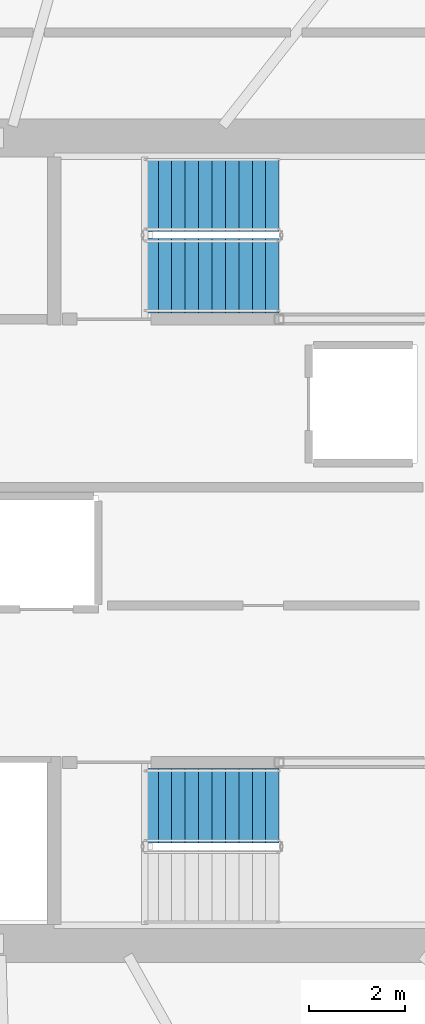
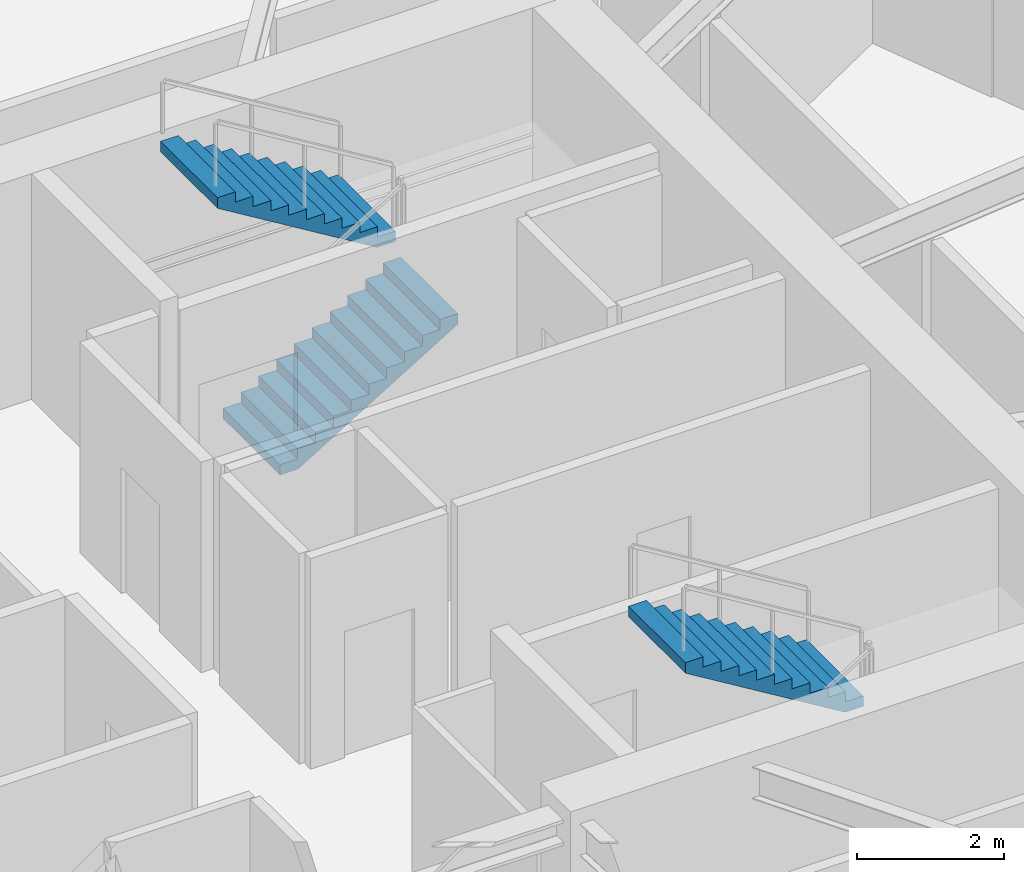
# One storey, part 16 of 17: 3 stair flights, 2 elements without a shape of their own.
"""IFC4 building model written with IfcOpenShell, lengths in metres."""

from ifc_helpers import new_model, si_unit, direction, frame, origin, place, context, subcontext, project, spatial, polyline, outline, extrude, material, type_object, element, aggregate, save


model = new_model("IFC4")

# Units and contexts
model_context = context("Model", 3, precision=1e-05, world=origin(), true_north=direction((0.0, 1.0)))
body_context = subcontext(model_context, "Body", "Model", "MODEL_VIEW")
ifc_project = project(units=[si_unit("LENGTHUNIT", "METRE"), si_unit("AREAUNIT", "SQUARE_METRE"), si_unit("VOLUMEUNIT", "CUBIC_METRE"), si_unit("PLANEANGLEUNIT", "RADIAN"), si_unit("MASSUNIT", "GRAM", prefix="KILO")], contexts=[model_context])

# Site, building, storey
site_placement = place(None, origin())
site = spatial("IfcSite", under=ifc_project, at=site_placement, CompositionType="ELEMENT")
building_placement = place(site_placement, origin())
building = spatial("IfcBuilding", under=site, at=building_placement, Name="Kazma Halo Residences", CompositionType="ELEMENT")
storey_placement = place(building_placement, frame((0.0, 0.0, 75.14990234375)))
storey = spatial("IfcBuildingStorey", under=building, at=storey_placement, Name="L18", CompositionType="ELEMENT", Elevation=75.14990234375)

# Stair, stair flights
ifc_material = material(Name="Concrete C50/60", Category="concrete")
stair_type = type_object("IfcStairType", Name="STR-RES1", PredefinedType="HALF_TURN_STAIR", material=ifc_material)
stair_1_placement = place(storey_placement, origin())
stair_1 = element("IfcStair", 1, at=stair_1_placement, inside=storey, type_object=stair_type, Name="L18 Core exit stair ST-02", PredefinedType="HALF_TURN_STAIR")
stair_flight_type = type_object("IfcStairFlightType", Name="STR-RES1-FLT", PredefinedType="STRAIGHT", material=ifc_material)
stair_flight_1_placement = place(storey_placement, frame((53.199951171875, 47.52490234375, 0.0), z_axis=(0.0, 0.0, 1.0), x_axis=(1.0, 0.0, 0.0)))
stair_flight_1 = element("IfcStairFlight", 2, at=stair_flight_1_placement, type_object=stair_flight_type, Name="ST-02 flight 1", NumberOfRisers=11, NumberOfTreads=10, PredefinedType="STRAIGHT", RiserHeight=0.170454545, TreadLength=0.28, context=body_context, shape_type="SweptSolid", body=[
    extrude(outline(polyline([(0.0, 0.0), (0.0, 0.17041015625), (0.280029296875, 0.17041015625), (0.280029296875, 0.3408203125), (0.56005859375, 0.3408203125), (0.56005859375, 0.511474609375), (0.840087890625, 0.511474609375), (0.840087890625, 0.681884765625), (1.1201171875, 0.681884765625), (1.1201171875, 0.852294921875), (1.39990234375, 0.852294921875), (1.39990234375, 1.022705078125), (1.679931640625, 1.022705078125), (1.679931640625, 1.193115234375), (1.9599609375, 1.193115234375), (1.9599609375, 1.363525390625), (2.239990234375, 1.363525390625), (2.239990234375, 1.5341796875), (2.52001953125, 1.5341796875), (2.52001953125, 1.70458984375), (2.800048828125, 1.70458984375), (2.800048828125, 1.875), (2.800048828125, 1.529052734375), (0.288330078125, 0.0), (0.0, 0.0)])), frame((0.0, 0.77490234375, 0.0), z_axis=(0.0, -1.0, 0.0), x_axis=(1.0, 0.0, 0.0)), (0.0, 0.0, 1.0), 1.550048828125),
])
stair_flight_2_placement = place(storey_placement, frame((56.0, 49.22509765625, 1.875), z_axis=(0.0, 0.0, 1.0), x_axis=(-1.0, 0.0, 0.0)))
stair_flight_2 = element("IfcStairFlight", 3, at=stair_flight_2_placement, type_object=stair_flight_type, Name="ST-02 flight 2", NumberOfRisers=11, NumberOfTreads=10, PredefinedType="STRAIGHT", RiserHeight=0.170454545, TreadLength=0.28, context=body_context, shape_type="SweptSolid", body=[
    extrude(outline(polyline([(0.0, 0.0), (0.0, 0.17041015625), (0.280029296875, 0.17041015625), (0.280029296875, 0.3408203125), (0.56005859375, 0.3408203125), (0.56005859375, 0.511474609375), (0.840087890625, 0.511474609375), (0.840087890625, 0.681884765625), (1.1201171875, 0.681884765625), (1.1201171875, 0.852294921875), (1.39990234375, 0.852294921875), (1.39990234375, 1.022705078125), (1.679931640625, 1.022705078125), (1.679931640625, 1.193115234375), (1.9599609375, 1.193115234375), (1.9599609375, 1.363525390625), (2.239990234375, 1.363525390625), (2.239990234375, 1.5341796875), (2.52001953125, 1.5341796875), (2.52001953125, 1.70458984375), (2.800048828125, 1.70458984375), (2.800048828125, 1.875), (2.800048828125, 1.529052734375), (0.288330078125, 0.0), (0.0, 0.0)])), frame((0.0, 0.77490234375, 0.0), z_axis=(0.0, -1.0, 0.0), x_axis=(1.0, 0.0, 0.0)), (0.0, 0.0, 1.0), 1.550048828125),
])
aggregate(stair_1, [stair_flight_1, stair_flight_2])

# Stair, stair flight
stair_2_placement = place(storey_placement, origin())
stair_2 = element("IfcStair", 4, at=stair_2_placement, inside=storey, type_object=stair_type, Name="L18 Core exit stair ST-03", PredefinedType="HALF_TURN_STAIR")
stair_flight_3_placement = place(storey_placement, frame((56.0, 36.47509765625, 1.875), z_axis=(0.0, 0.0, 1.0), x_axis=(-1.0, 0.0, 0.0)))
stair_flight_3 = element("IfcStairFlight", 5, at=stair_flight_3_placement, type_object=stair_flight_type, Name="ST-03 flight 2", NumberOfRisers=11, NumberOfTreads=10, PredefinedType="STRAIGHT", RiserHeight=0.170454545, TreadLength=0.28, context=body_context, shape_type="SweptSolid", body=[
    extrude(outline(polyline([(0.0, 0.0), (0.0, 0.17041015625), (0.280029296875, 0.17041015625), (0.280029296875, 0.3408203125), (0.56005859375, 0.3408203125), (0.56005859375, 0.511474609375), (0.840087890625, 0.511474609375), (0.840087890625, 0.681884765625), (1.1201171875, 0.681884765625), (1.1201171875, 0.852294921875), (1.39990234375, 0.852294921875), (1.39990234375, 1.022705078125), (1.679931640625, 1.022705078125), (1.679931640625, 1.193115234375), (1.9599609375, 1.193115234375), (1.9599609375, 1.363525390625), (2.239990234375, 1.363525390625), (2.239990234375, 1.5341796875), (2.52001953125, 1.5341796875), (2.52001953125, 1.70458984375), (2.800048828125, 1.70458984375), (2.800048828125, 1.875), (2.800048828125, 1.529052734375), (0.288330078125, 0.0), (0.0, 0.0)])), frame((0.0, 0.77490234375, 0.0), z_axis=(0.0, -1.0, 0.0), x_axis=(1.0, 0.0, 0.0)), (0.0, 0.0, 1.0), 1.550048828125),
])
aggregate(stair_2, [stair_flight_3])

save(model, "model.ifc")
